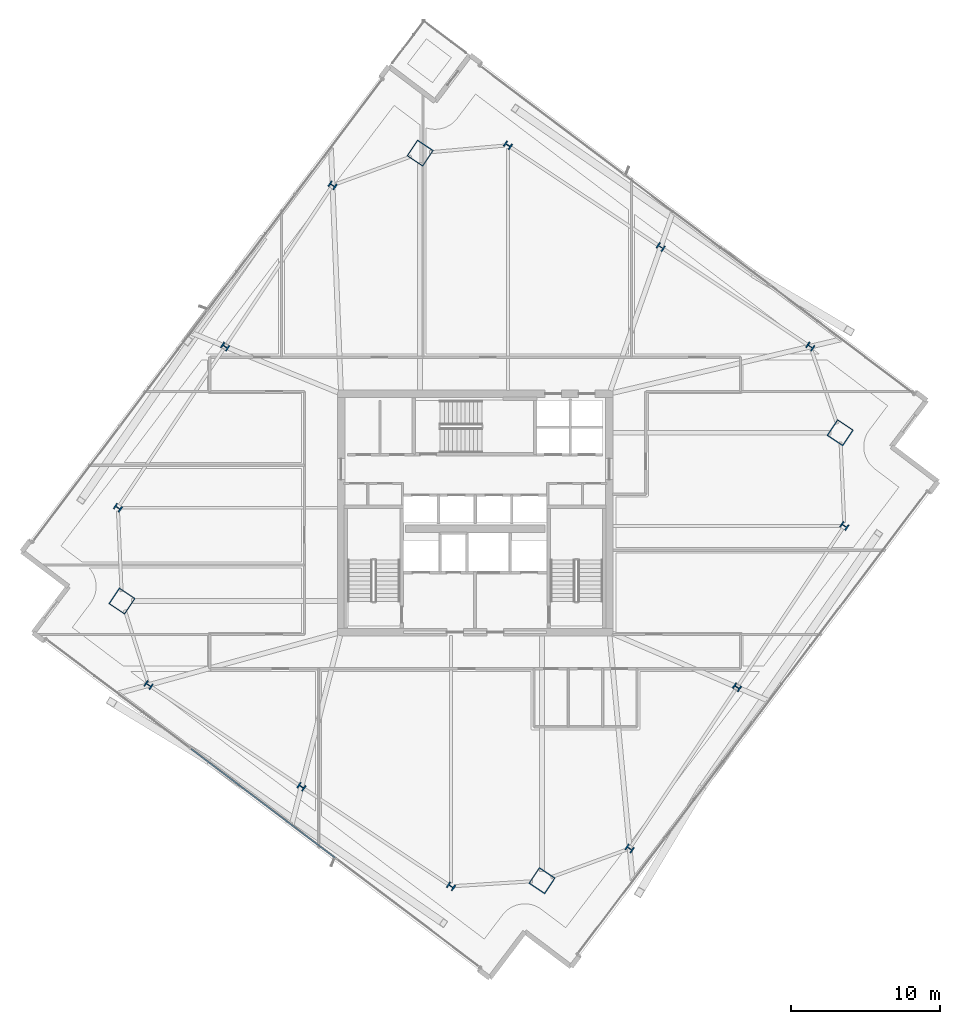
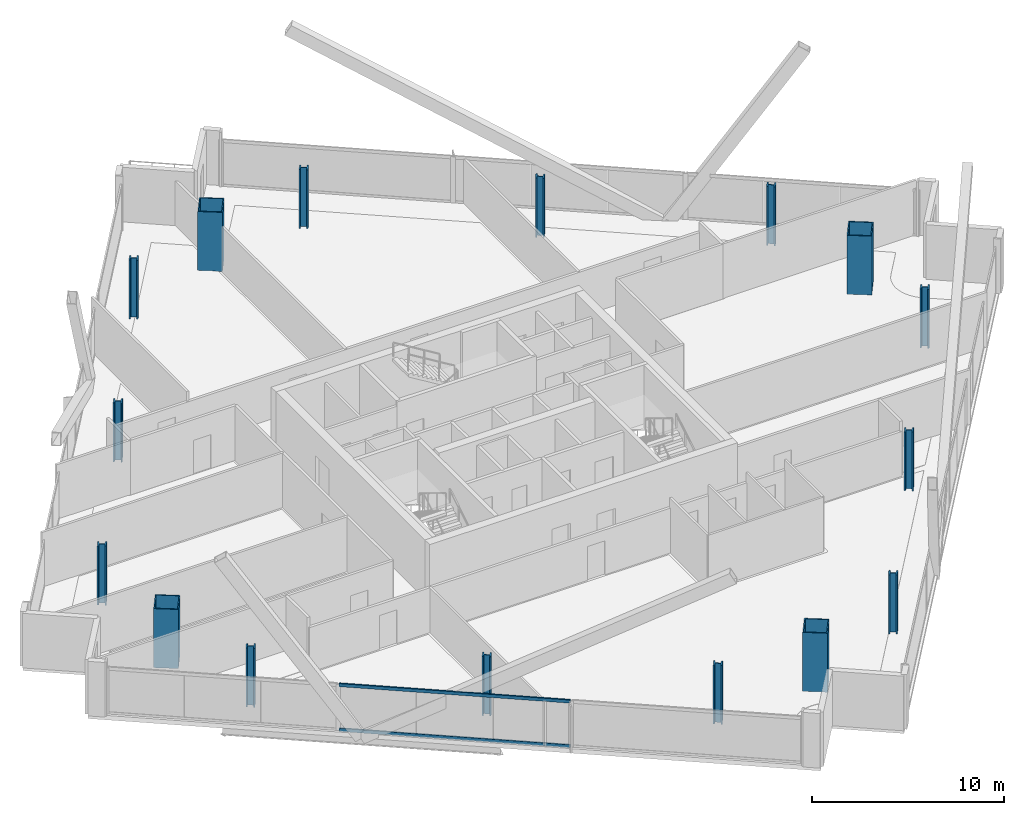
# One storey, part 1 of 34: 16 columns, 2 members, 1 element without a shape of its own.
"""IFC4 building model written with IfcOpenShell, lengths in metres."""

from ifc_helpers import new_model, si_unit, direction, frame, origin, origin_2d, place, context, subcontext, project, spatial, hollow_rectangle, i_section, extrude, material, material_profile, profile_set, type_object, element, aggregate, save


model = new_model("IFC4")

# Units and contexts
model_context = context("Model", 3, precision=1e-05, world=origin(), true_north=direction((0.0, 1.0)))
body_context = subcontext(model_context, "Body", "Model", "MODEL_VIEW")
ifc_project = project(units=[si_unit("LENGTHUNIT", "METRE"), si_unit("AREAUNIT", "SQUARE_METRE"), si_unit("VOLUMEUNIT", "CUBIC_METRE"), si_unit("PLANEANGLEUNIT", "RADIAN"), si_unit("MASSUNIT", "GRAM", prefix="KILO")], contexts=[model_context])

# Site, building, storey
site_placement = place(None, origin())
site = spatial("IfcSite", under=ifc_project, at=site_placement, CompositionType="ELEMENT")
building_placement = place(site_placement, origin())
building = spatial("IfcBuilding", under=site, at=building_placement, Name="Haldenkirk Collegiate Tower", CompositionType="ELEMENT")
storey_placement = place(building_placement, frame((0.0, 0.0, 205.949951171875)))
storey = spatial("IfcBuildingStorey", under=building, at=storey_placement, Name="L51", CompositionType="ELEMENT", Elevation=205.949951171875)

# Columns
ifc_material_1 = material(Name="Steel ASTM A913 Grade 65", Category="steel")
ifc_material_profile_1 = material_profile(ifc_material_1, i_section(OverallWidth=0.424072265625, OverallDepth=0.47412109375, WebThickness=0.047607421875, FlangeThickness=0.0771484375, at=origin_2d()), Name="W14X426")
ifc_profile_set_1 = profile_set([ifc_material_profile_1], Name="Steel ASTM A913 Grade 65")
column_type_1 = type_object("IfcColumnType", Name="COL-INT-W14X426", PredefinedType="COLUMN", material=ifc_profile_set_1)
for number, where, z_axis, x_axis, name in (
    (1, (46.363037109375, 3.48974609375, 0.0), (0.0, 0.0, 1.0), (0.554118199338, 0.832437998389, 0.0), "L51 perimeter gravity column PC-S1"),
    (2, (53.564453125, 14.30810546875, 0.0), (0.0, 0.0, 1.0), (0.554118199338, 0.832437998389, 0.0), "L51 perimeter gravity column PC-S2"),
    (3, (60.765869140625, 25.12646484375, 0.0), (0.0, 0.0, 1.0), (0.554118199338, 0.832437998389, 0.0), "L51 perimeter gravity column PC-S3"),
    (4, (58.48095703125, 37.16357421875, 0.0), (0.0, 0.0, 1.0), (0.554118199338, 0.832437998389, 0.0), "L51 perimeter gravity column PC-E1"),
    (5, (48.447509765625, 43.84228515625, 0.0), (0.0, 0.0, 1.0), (0.554118199338, 0.832437998389, 0.0), "L51 perimeter gravity column PC-E2"),
    (6, (38.192626953125, 50.66845703125, 0.0), (0.0, 0.0, 1.0), (0.554118199338, 0.832437998389, 0.0), "L51 perimeter gravity column PC-E3"),
    (7, (26.427734375, 47.98388671875, 0.0), (0.0, 0.0, 1.0), (0.554118199338, 0.832437998389, 0.0), "L51 perimeter gravity column PC-N1"),
    (8, (19.226318359375, 37.16552734375, 0.0), (0.0, 0.0, 1.0), (0.554118199338, 0.832437998389, 0.0), "L51 perimeter gravity column PC-N2"),
    (9, (12.025146484375, 26.34716796875, 0.0), (0.0, 0.0, 1.0), (0.554118199338, 0.832437998389, 0.0), "L51 perimeter gravity column PC-N3"),
    (10, (14.08837890625, 14.45751953125, 0.0), (0.0, 0.0, 1.0), (0.554118199338, 0.832437998389, 0.0), "L51 perimeter gravity column PC-W1"),
    (11, (24.34326171875, 7.63134765625, 0.0), (0.0, 0.0, 1.0), (0.554118199338, 0.832437998389, 0.0), "L51 perimeter gravity column PC-W2"),
    (12, (34.376708984375, 0.952392578125, 0.0), (0.0, 0.0, 1.0), (0.554118199338, 0.832437998389, 0.0), "L51 perimeter gravity column PC-W3"),
):
    element("IfcColumn", number, at=place(storey_placement, frame(where, z_axis=z_axis, x_axis=x_axis)), inside=storey, type_object=column_type_1, Name=name, PredefinedType="COLUMN", context=body_context, shape_type="SweptSolid", body=[
        extrude(i_section(OverallWidth=0.424072265625, OverallDepth=0.47412109375, WebThickness=0.047607421875, FlangeThickness=0.0771484375, at=origin_2d()), origin(), (0.0, 0.0, 1.0), 3.75),
    ])
ifc_material_2 = material(Name="Steel ASTM A572 Grade 50", Category="steel")
ifc_material_profile_2 = material_profile(ifc_material_2, hollow_rectangle(XDim=1.300048828125, YDim=1.300048828125, WallThickness=0.06005859375, at=origin_2d()), Name="BOX1300X1300X60")
ifc_profile_set_2 = profile_set([ifc_material_profile_2], Name="Steel ASTM A572 Grade 50")
column_type_2 = type_object("IfcColumnType", Name="COL-MEGA-BOX1300X1300X60", PredefinedType="COLUMN", material=ifc_profile_set_2)
for number, where, z_axis, x_axis, name in (
    (13, (40.482666015625, 1.332763671875, 0.0), (0.0, 0.0, 1.0), (0.554118199338, 0.832437998389, 0.0), "L51 corner mega-column MC1"),
    (14, (60.486328125, 31.3837890625, 0.0), (0.0, 0.0, 1.0), (0.554118199338, 0.832437998389, 0.0), "L51 corner mega-column MC2"),
    (15, (32.30810546875, 50.140869140625, 0.0), (0.0, 0.0, 1.0), (0.554118199338, 0.832437998389, 0.0), "L51 corner mega-column MC3"),
    (16, (12.3046875, 20.089599609375, 0.0), (0.0, 0.0, 1.0), (0.554118199338, 0.832437998389, 0.0), "L51 corner mega-column MC4"),
):
    element("IfcColumn", number, at=place(storey_placement, frame(where, z_axis=z_axis, x_axis=x_axis)), inside=storey, type_object=column_type_2, Name=name, PredefinedType="COLUMN", context=body_context, shape_type="SweptSolid", body=[
        extrude(hollow_rectangle(XDim=1.300048828125, YDim=1.300048828125, WallThickness=0.06005859375, at=origin_2d()), origin(), (0.0, 0.0, 1.0), 3.75),
    ])

# Curtain wall, members
ifc_material_3 = material(Name="Anodised architectural bronze aluminium", Category="aluminium")
curtain_wall_type = type_object("IfcCurtainWallType", Name="CW-SYS1B-CONVEX-HI", PredefinedType="USERDEFINED", material=ifc_material_3)
curtain_wall_placement = place(storey_placement, origin())
curtain_wall = element("IfcCurtainWall", 17, at=curtain_wall_placement, inside=storey, type_object=curtain_wall_type, Name="L51 Upper tower high-wind convex bronze unitised curtain wall", ObjectType="UNITISED CURTAIN WALL", PredefinedType="USERDEFINED")
ifc_material_profile_3 = material_profile(ifc_material_3, hollow_rectangle(XDim=0.0849609375, YDim=0.199951171875, WallThickness=0.0048828125, at=origin_2d()), Name="CW-TRN-1B")
ifc_profile_set_3 = profile_set([ifc_material_profile_3], Name="Anodised architectural bronze aluminium")
member_type = type_object("IfcMemberType", Name="CW-TRN-1B", PredefinedType="USERDEFINED", material=ifc_profile_set_3)
member_1_placement = place(storey_placement, frame((26.60107421875, 2.8671875, 0.04248046875), z_axis=(-0.797587444311, 0.603203339411, 0.0), x_axis=(-0.603203339411, -0.797587444311, 0.0)))
member_1 = element("IfcMember", 18, at=member_1_placement, type_object=member_type, Name="CW-1B transom 2.1", ObjectType="TRANSOM", PredefinedType="USERDEFINED", context=body_context, shape_type="SweptSolid", body=[
    extrude(hollow_rectangle(XDim=0.0849609375, YDim=0.199951171875, WallThickness=0.0048828125, at=origin_2d()), origin(), (0.0, 0.0, 1.0), 12.114990234375),
])
member_2_placement = place(storey_placement, frame((26.60107421875, 2.8671875, 2.885498046875), z_axis=(-0.797587444311, 0.603203339411, 0.0), x_axis=(-0.603203339411, -0.797587444311, 0.0)))
member_2 = element("IfcMember", 19, at=member_2_placement, type_object=member_type, Name="CW-1B transom 2.2", ObjectType="TRANSOM", PredefinedType="USERDEFINED", context=body_context, shape_type="SweptSolid", body=[
    extrude(hollow_rectangle(XDim=0.0849609375, YDim=0.199951171875, WallThickness=0.0048828125, at=origin_2d()), origin(), (0.0, 0.0, 1.0), 12.114990234375),
])
aggregate(curtain_wall, [member_1, member_2])

save(model, "model.ifc")
